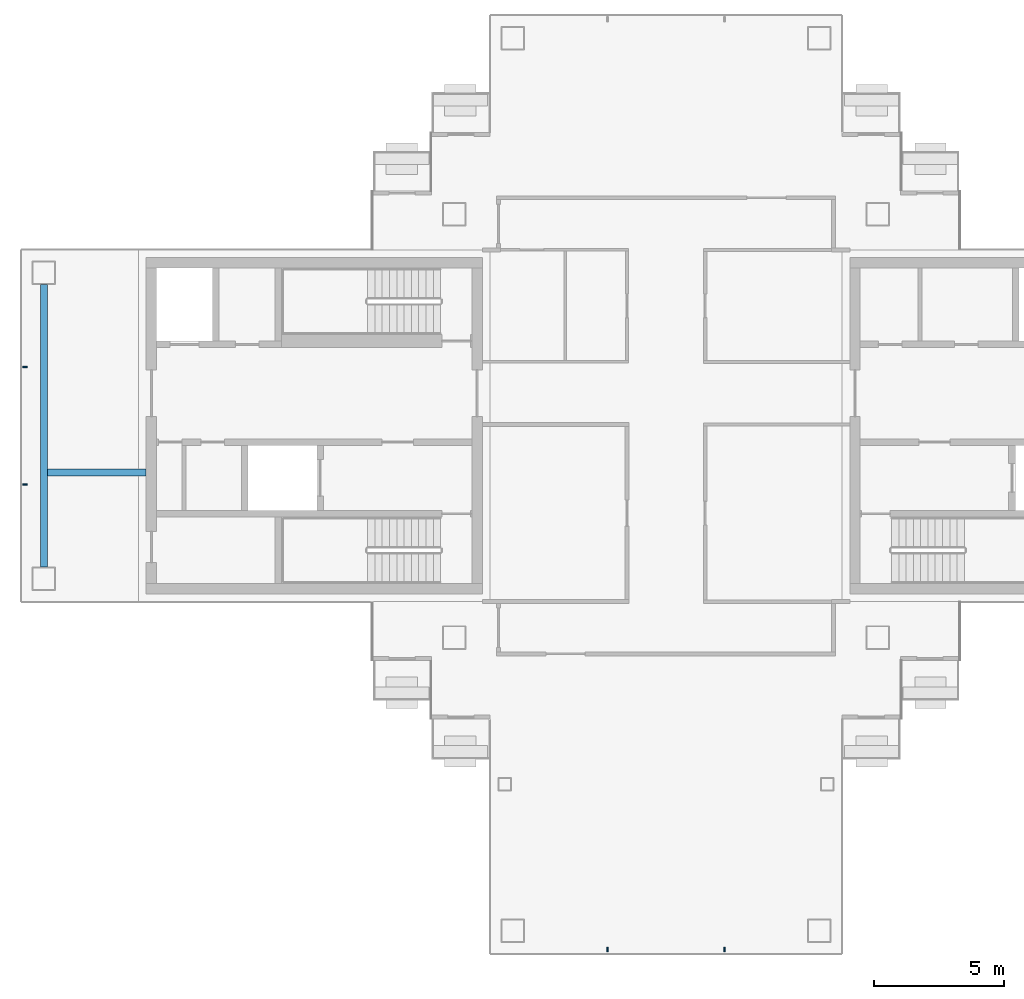
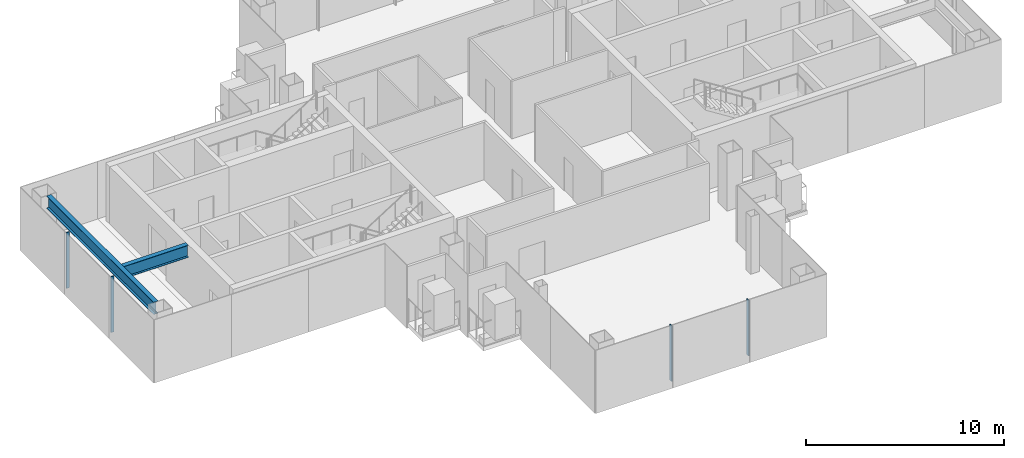
# One storey, part 3 of 17: 4 members, 2 beams, 2 elements without a shape of their own.
"""IFC4 building model written with IfcOpenShell, lengths in metres."""

from ifc_helpers import new_model, si_unit, direction, frame, origin, origin_2d, place, context, subcontext, project, spatial, rectangle, i_section, extrude, material, layer, layer_set, material_profile, profile_set, type_object, element, aggregate, save


model = new_model("IFC4")

# Units and contexts
model_context = context("Model", 3, precision=1e-05, world=origin(), true_north=direction((0.0, 1.0)))
body_context = subcontext(model_context, "Body", "Model", "MODEL_VIEW")
ifc_project = project(units=[si_unit("LENGTHUNIT", "METRE"), si_unit("AREAUNIT", "SQUARE_METRE"), si_unit("VOLUMEUNIT", "CUBIC_METRE"), si_unit("PLANEANGLEUNIT", "RADIAN"), si_unit("MASSUNIT", "GRAM", prefix="KILO")], contexts=[model_context])

# Site, building, storey
site_placement = place(None, origin())
site = spatial("IfcSite", under=ifc_project, at=site_placement, CompositionType="ELEMENT")
building_placement = place(site_placement, origin())
building = spatial("IfcBuilding", under=site, at=building_placement, Name="Shamsa Quay Exchange Towers", CompositionType="ELEMENT")
storey_placement = place(building_placement, frame((0.0, 0.0, 253.800048828125)))
storey = spatial("IfcBuildingStorey", under=building, at=storey_placement, Name="L61", CompositionType="ELEMENT", Elevation=253.800048828125)

# Curtain wall, members
ifc_material_1 = material(Name="Aluminium EN AW-6063 T6, black anodised", Category="aluminium")
ifc_layer = layer(ifc_material_1, 0.280029296875)
ifc_layer_set = layer_set([ifc_layer], Name="CW-1 UNITISED VISION GLASS")
curtain_wall_type = type_object("IfcCurtainWallType", Name="CW-1 UNITISED VISION GLASS", PredefinedType="NOTDEFINED", material=ifc_layer_set)
curtain_wall_1_placement = place(storey_placement, origin())
curtain_wall_1 = element("IfcCurtainWall", 1, at=curtain_wall_1_placement, inside=storey, type_object=curtain_wall_type, Name="CW1 T1-END-V- L61", PredefinedType="NOTDEFINED")
ifc_material_profile_1 = material_profile(ifc_material_1, rectangle(XDim=0.179931640625, YDim=0.06005859375, at=origin_2d()), Name="MU60x180")
ifc_profile_set_1 = profile_set([ifc_material_profile_1], Name="Aluminium EN AW-6063 T6, black anodised")
member_type = type_object("IfcMemberType", Name="CW1 MULLION 60x180", PredefinedType="MULLION", material=ifc_profile_set_1)
member_1_placement = place(storey_placement, frame((-36.0, -20.10009765625, 0.0), z_axis=(0.0, 0.0, 1.0), x_axis=(0.0, 1.0, 0.0)))
member_1 = element("IfcMember", 2, at=member_1_placement, type_object=member_type, Name="CW1 mullion", PredefinedType="MULLION", context=body_context, shape_type="SweptSolid", body=[
    extrude(rectangle(XDim=0.179931640625, YDim=0.06005859375, at=origin_2d()), origin(), (0.0, 0.0, 1.0), 3.449951171875),
])
member_2_placement = place(storey_placement, frame((-31.5, -20.10009765625, 0.0), z_axis=(0.0, 0.0, 1.0), x_axis=(0.0, 1.0, 0.0)))
member_2 = element("IfcMember", 3, at=member_2_placement, type_object=member_type, Name="CW1 mullion", PredefinedType="MULLION", context=body_context, shape_type="SweptSolid", body=[
    extrude(rectangle(XDim=0.179931640625, YDim=0.06005859375, at=origin_2d()), origin(), (0.0, 0.0, 1.0), 3.449951171875),
])
aggregate(curtain_wall_1, [member_1, member_2])

curtain_wall_2_placement = place(storey_placement, origin())
curtain_wall_2 = element("IfcCurtainWall", 4, at=curtain_wall_2_placement, inside=storey, type_object=curtain_wall_type, Name="CW1 T1-END-U- L61", PredefinedType="NOTDEFINED")
member_3_placement = place(storey_placement, frame((-58.35009765625, 2.25, 0.0)))
member_3 = element("IfcMember", 5, at=member_3_placement, type_object=member_type, Name="CW1 mullion", PredefinedType="MULLION", context=body_context, shape_type="SweptSolid", body=[
    extrude(rectangle(XDim=0.179931640625, YDim=0.06005859375, at=origin_2d()), origin(), (0.0, 0.0, 1.0), 3.449951171875),
])
member_4_placement = place(storey_placement, frame((-58.35009765625, -2.25, 0.0)))
member_4 = element("IfcMember", 6, at=member_4_placement, type_object=member_type, Name="CW1 mullion", PredefinedType="MULLION", context=body_context, shape_type="SweptSolid", body=[
    extrude(rectangle(XDim=0.179931640625, YDim=0.06005859375, at=origin_2d()), origin(), (0.0, 0.0, 1.0), 3.449951171875),
])
aggregate(curtain_wall_2, [member_3, member_4])

# Beams
ifc_material_2 = material(Name="Steel S355", Category="steel")
ifc_material_profile_2 = material_profile(ifc_material_2, i_section(OverallWidth=0.26611328125, OverallDepth=0.7578125, WebThickness=0.013916015625, FlangeThickness=0.019287109375, at=origin_2d()), Name="W30x108")
ifc_profile_set_2 = profile_set([ifc_material_profile_2], Name="Steel S355")
beam_type = type_object("IfcBeamType", Name="End-zone beam W30x108", PredefinedType="BEAM", material=ifc_profile_set_2)
beam_1_placement = place(storey_placement, frame((-57.625, -5.425048828125, 3.171142578125), z_axis=(0.0, 1.0, 0.0), x_axis=(-1.0, 0.0, 0.0)))
element("IfcBeam", 7, at=beam_1_placement, inside=storey, type_object=beam_type, Name="End beam T1 U- end zone L61", PredefinedType="BEAM", context=body_context, shape_type="SweptSolid", body=[
    extrude(i_section(OverallWidth=0.26611328125, OverallDepth=0.7578125, WebThickness=0.013916015625, FlangeThickness=0.019287109375, at=origin_2d()), origin(), (0.0, 0.0, 1.0), 10.85009765625),
])
beam_2_placement = place(storey_placement, frame((-53.699951171875, -1.800048828125, 3.171142578125), z_axis=(-1.0, 0.0, 0.0), x_axis=(0.0, -1.0, 0.0)))
element("IfcBeam", 8, at=beam_2_placement, inside=storey, type_object=beam_type, Name="Spine beam T1 U- end zone L61", PredefinedType="BEAM", context=body_context, shape_type="SweptSolid", body=[
    extrude(i_section(OverallWidth=0.26611328125, OverallDepth=0.7578125, WebThickness=0.013916015625, FlangeThickness=0.019287109375, at=origin_2d()), origin(), (0.0, 0.0, 1.0), 3.7919921875),
])

save(model, "model.ifc")
